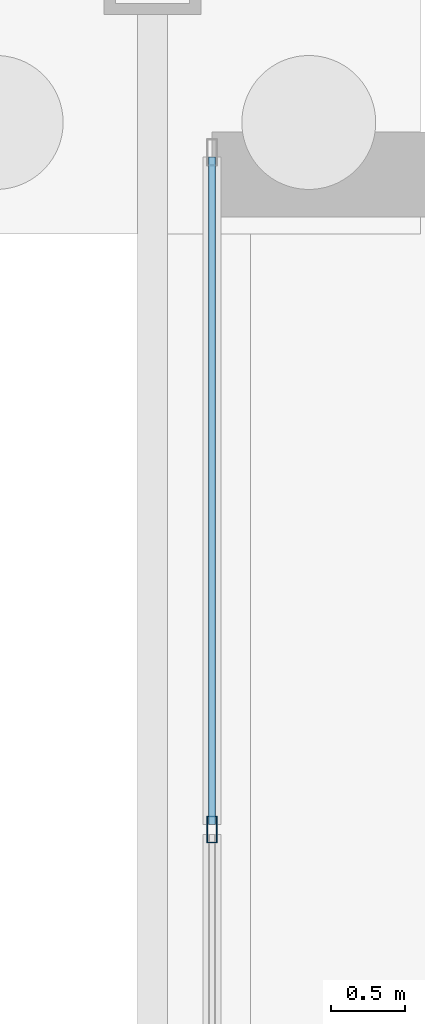
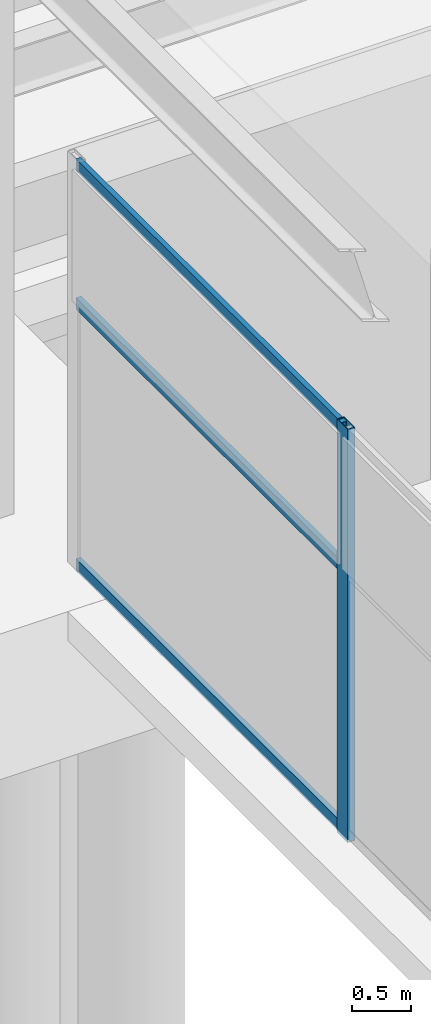
# One storey, part 42 of 160: 4 members, 1 element without a shape of its own.
"""IFC4 building model written with IfcOpenShell, lengths in metres."""

import ifcopenshell
import ifcopenshell.guid

model = None  # the IFC model being written
_history = None  # IfcOwnerHistory: only IFC2X3 demands one
_inside = {}  # id of a spatial element -> (the spatial element, [elements in it])
_under = {}  # id of a project, library or spatial element -> (it, [spatial elements below it])
_declared = {}  # id of a project -> (the project, [libraries it declares])
_typed = {}  # id of a type object -> (the type object, [elements of that type])
_made_of = {}  # id of a material, layer set ... -> (it, [elements and type objects made of it])


def new_model(schema):
    """Start an empty IFC model of exactly this schema.

    Asked for "IFC4X3", IfcOpenShell would pick the latest addendum, in which some entities
    have other attributes; the version numbers below select the first issue.
    IFC2X3 requires an IfcOwnerHistory on every rooted entity: one is made here for all.
    """
    global model, _history
    if schema == "IFC4X3":
        model = ifcopenshell.file(schema_version=(4, 3, 0, 0))
    else:
        model = ifcopenshell.file(schema=schema)
    _inside.clear()
    _under.clear()
    _declared.clear()
    _typed.clear()
    _made_of.clear()
    _history = None
    if model.schema == "IFC2X3":
        org = make("IfcOrganization", Name="unknown")
        user = make(
            "IfcPersonAndOrganization",
            ThePerson=make("IfcPerson", FamilyName="unknown"),
            TheOrganization=org,
        )
        app = make(
            "IfcApplication",
            ApplicationDeveloper=org,
            Version="unknown",
            ApplicationFullName="unknown",
            ApplicationIdentifier="unknown",
        )
        _history = make(
            "IfcOwnerHistory",
            OwningUser=user,
            OwningApplication=app,
            ChangeAction="ADDED",
            CreationDate=0,
        )
    return model


def make(cls, **values):
    """One entity of the class cls with the attributes given. An attribute that is None is left unset."""
    return model.create_entity(
        cls, **{name: value for name, value in values.items() if value is not None}
    )


def rooted(cls, **values):
    """An entity with a GlobalId (a new one), such as an element, a storey or a relation."""
    return make(cls, GlobalId=ifcopenshell.guid.new(), OwnerHistory=_history, **values)


def si_unit(unit_type, name, prefix=None):
    """IfcSIUnit, for example si_unit("LENGTHUNIT", "METRE", prefix="MILLI")."""
    return make("IfcSIUnit", UnitType=unit_type, Prefix=prefix, Name=name)


def assignment(units):
    """IfcUnitAssignment: the units of a project."""
    return None if units is None else make("IfcUnitAssignment", Units=units)


def point(xyz):
    """IfcCartesianPoint."""
    return None if xyz is None else make("IfcCartesianPoint", Coordinates=xyz)


def direction(xyz):
    """IfcDirection."""
    return None if xyz is None else make("IfcDirection", DirectionRatios=xyz)


def frame(location, z_axis=None, x_axis=None):
    """IfcAxis2Placement3D, a coordinate frame: its origin and axes. An axis left out is left unset."""
    return make(
        "IfcAxis2Placement3D",
        Location=point(location),
        Axis=direction(z_axis),
        RefDirection=direction(x_axis),
    )


def frame_2d(location, x_axis=None):
    """IfcAxis2Placement2D, a coordinate frame in the plane: its origin and x axis."""
    return make(
        "IfcAxis2Placement2D", Location=point(location), RefDirection=direction(x_axis)
    )


def origin():
    """The frame at (0, 0, 0) with its axes left unset."""
    return frame((0.0, 0.0, 0.0))


def origin_2d():
    """The frame at (0, 0) in the plane with its x axis left unset."""
    return frame_2d((0.0, 0.0))


def place(relative_to, where):
    """IfcLocalPlacement: puts the frame where relative to a parent placement (None: the world)."""
    return make(
        "IfcLocalPlacement", PlacementRelTo=relative_to, RelativePlacement=where
    )


def context(
    kind, dimensions, precision=None, world=None, true_north=None, identifier=None
):
    """IfcGeometricRepresentationContext, for example the 3D "Model" context."""
    return make(
        "IfcGeometricRepresentationContext",
        ContextIdentifier=identifier,
        ContextType=kind,
        CoordinateSpaceDimension=dimensions,
        Precision=precision,
        WorldCoordinateSystem=world,
        TrueNorth=true_north,
    )


def subcontext(parent, identifier, kind, view, scale=None):
    """IfcGeometricRepresentationSubContext, for example "Body" below "Model"."""
    return make(
        "IfcGeometricRepresentationSubContext",
        ContextIdentifier=identifier,
        ContextType=kind,
        ParentContext=parent,
        TargetScale=scale,
        TargetView=view,
    )


def project(units=None, contexts=None):
    """IfcProject with its units and contexts."""
    return rooted(
        "IfcProject",
        Name="project",
        RepresentationContexts=contexts,
        UnitsInContext=assignment(units),
    )


def spatial(cls, under=None, at=None, **own):
    """A site, building, storey or space (cls), placed at a placement, below another one or the project."""
    s = rooted(cls, ObjectPlacement=at, **own)
    if under is not None:
        _under.setdefault(under.id(), (under, []))[1].append(s)
    return s


def profile(cls, at=None, kind="AREA", **sizes):
    """A parametric profile (cls). Its sizes go by their IFC names, for example OverallWidth=200.0."""
    return make(cls, ProfileType=kind, Position=at, **sizes)


def hollow_rectangle(**sizes):
    """IfcRectangleHollowProfileDef."""
    return profile("IfcRectangleHollowProfileDef", **sizes)


def extrude(swept, where, along, depth):
    """IfcExtrudedAreaSolid: the profile swept, set in the frame where, extruded along a direction by depth."""
    return make(
        "IfcExtrudedAreaSolid",
        SweptArea=swept,
        Position=where,
        ExtrudedDirection=direction(along),
        Depth=depth,
    )


def shape(context_of_items, identifier, shape_type, items):
    """IfcShapeRepresentation: the items that make up one representation, for example the "Body"."""
    return make(
        "IfcShapeRepresentation",
        ContextOfItems=context_of_items,
        RepresentationIdentifier=identifier,
        RepresentationType=shape_type,
        Items=items,
    )


def material(Name=None, Category=None):
    """IfcMaterial."""
    return make("IfcMaterial", Name=Name, Category=Category)


def layer(
    of_material, thickness, ventilated=None, Name=None, Category=None, Priority=None
):
    """IfcMaterialLayer: one layer of a wall or slab, of a material (None: an air gap)."""
    return make(
        "IfcMaterialLayer",
        Material=of_material,
        LayerThickness=thickness,
        IsVentilated=ventilated,
        Name=Name,
        Category=Category,
        Priority=Priority,
    )


def layer_set(layers, Name=None):
    """IfcMaterialLayerSet."""
    return make("IfcMaterialLayerSet", MaterialLayers=layers, LayerSetName=Name)


def material_profile(
    of_material, cross_section, Name=None, Category=None, Priority=None
):
    """IfcMaterialProfile: a cross section and its material."""
    return make(
        "IfcMaterialProfile",
        Name=Name,
        Material=of_material,
        Profile=cross_section,
        Priority=Priority,
        Category=Category,
    )


def profile_set(profiles, Name=None, composite=None):
    """IfcMaterialProfileSet."""
    return make(
        "IfcMaterialProfileSet",
        Name=Name,
        MaterialProfiles=profiles,
        CompositeProfile=composite,
    )


def made_of(thing, what):
    """Note that an element or type object is made of a material, layer set ...; save() writes the relation."""
    if what is not None:
        _made_of.setdefault(what.id(), (what, []))[1].append(thing)
    return thing


def type_object(cls, material=None, **own):
    """A type object (cls), such as IfcWallType, which elements share."""
    return made_of(rooted(cls, **own), material)


def element(
    cls,
    number,
    at=None,
    inside=None,
    cuts=None,
    type_object=None,
    material=None,
    context=None,
    identifier="Body",
    shape_type=None,
    held_by="IfcProductDefinitionShape",
    body=None,
    shapes=None,
    **own,
):
    """One element of the class cls, such as IfcWall. Its Tag is "e" and its number.

    at: its placement. inside: the storey or other place that contains it. cuts: it is an
    opening in that element (IfcRelVoidsElement). A single representation is given by context,
    identifier, shape_type and body (its items); several are given by shapes. held_by: the class
    of the entity that holds the representations. save() writes the other relations.
    """
    e = rooted(cls, Tag="e%d" % number, ObjectPlacement=at, **own)
    if body is not None:
        shapes = [shape(context, identifier, shape_type, body)]
    if shapes is not None:
        e.Representation = make(held_by, Representations=shapes)
    if inside is not None:
        _inside.setdefault(inside.id(), (inside, []))[1].append(e)
    if cuts is not None:
        rooted(
            "IfcRelVoidsElement", RelatingBuildingElement=cuts, RelatedOpeningElement=e
        )
    if type_object is not None:
        _typed.setdefault(type_object.id(), (type_object, []))[1].append(e)
    return made_of(e, material)


def aggregate(whole, parts):
    """IfcRelAggregates: a whole, such as a stair, and the parts it consists of."""
    return rooted("IfcRelAggregates", RelatingObject=whole, RelatedObjects=parts)


def save(model, path):
    """Write the relations noted so far, then the file.

    IfcRelAggregates (storeys below a building ...), IfcRelContainedInSpatialStructure (elements
    in a storey), IfcRelDefinesByType, IfcRelAssociatesMaterial and IfcRelDeclares: one each for
    every whole, place, type object, material and project.
    """
    for whole, parts in _under.values():
        aggregate(whole, parts)
    for where, things in _inside.values():
        rooted(
            "IfcRelContainedInSpatialStructure",
            RelatedElements=things,
            RelatingStructure=where,
        )
    for kind, things in _typed.values():
        rooted("IfcRelDefinesByType", RelatedObjects=things, RelatingType=kind)
    for what, things in _made_of.values():
        rooted("IfcRelAssociatesMaterial", RelatedObjects=things, RelatingMaterial=what)
    for by, libraries in _declared.values():
        rooted("IfcRelDeclares", RelatingContext=by, RelatedDefinitions=libraries)
    model.write(path)


model = new_model("IFC4")

# Units and contexts
model_context = context("Model", 3, precision=1e-05, world=origin(), true_north=direction((0.0, 1.0)))
body_context = subcontext(model_context, "Body", "Model", "MODEL_VIEW")
ifc_project = project(units=[si_unit("LENGTHUNIT", "METRE"), si_unit("AREAUNIT", "SQUARE_METRE"), si_unit("VOLUMEUNIT", "CUBIC_METRE"), si_unit("PLANEANGLEUNIT", "RADIAN"), si_unit("MASSUNIT", "GRAM", prefix="KILO")], contexts=[model_context])

# Site, building, storey
site_placement = place(None, origin())
site = spatial("IfcSite", under=ifc_project, at=site_placement, CompositionType="ELEMENT")
building_placement = place(site_placement, origin())
building = spatial("IfcBuilding", under=site, at=building_placement, Name="Marlcrest Central Station", CompositionType="ELEMENT")
storey_placement = place(building_placement, origin())
storey = spatial("IfcBuildingStorey", under=building, at=storey_placement, Name="L00", CompositionType="ELEMENT", Elevation=0.0)

# Curtain wall, members
ifc_material_1 = material(Name="Anodised aluminium and hurricane laminated glass", Category="aluminium")
ifc_layer = layer(ifc_material_1, 0.179931640625, Name="CW-S1")
ifc_layer_set = layer_set([ifc_layer], Name="Anodised aluminium and hurricane laminated glass")
curtain_wall_type = type_object("IfcCurtainWallType", Name="CW-S1", PredefinedType="USERDEFINED", material=ifc_layer_set)
curtain_wall_placement = place(storey_placement, origin())
curtain_wall = element("IfcCurtainWall", 1, at=curtain_wall_placement, inside=storey, type_object=curtain_wall_type, Name="cw-L00-0143", ObjectType="STICK_CURTAIN_WALL", PredefinedType="USERDEFINED")
ifc_material_2 = material(Name="Anodised aluminium 6063-T6", Category="aluminium")
ifc_material_profile_1 = material_profile(ifc_material_2, hollow_rectangle(XDim=0.070068359375, YDim=0.179931640625, WallThickness=0.0048828125, at=origin_2d()), Name="AA-RHS 180x70x5")
ifc_profile_set_1 = profile_set([ifc_material_profile_1], Name="Anodised aluminium 6063-T6")
member_type_1 = type_object("IfcMemberType", Name="ML-02", PredefinedType="MULLION", material=ifc_profile_set_1)
member_1_placement = place(storey_placement, frame((0.39990234375, 27.199951171875, -0.030029296875), z_axis=(0.0, 0.0, 1.0), x_axis=(1.0, 0.0, 0.0)))
member_1 = element("IfcMember", 2, at=member_1_placement, type_object=member_type_1, Name="cw-L00-0143-ml-1", PredefinedType="MULLION", context=body_context, shape_type="SweptSolid", body=[
    extrude(hollow_rectangle(XDim=0.070068359375, YDim=0.179931640625, WallThickness=0.0048828125, at=origin_2d()), origin(), (0.0, 0.0, 1.0), 4.260009765625),
])
ifc_material_profile_2 = material_profile(ifc_material_2, hollow_rectangle(XDim=0.050048828125, YDim=0.1201171875, WallThickness=0.00390625, at=origin_2d()), Name="AA-RHS 120x50x4")
ifc_profile_set_2 = profile_set([ifc_material_profile_2], Name="Anodised aluminium 6063-T6")
member_type_2 = type_object("IfcMemberType", Name="TR-02", PredefinedType="USERDEFINED", material=ifc_profile_set_2)
member_2_placement = place(storey_placement, frame((0.39990234375, 27.23291015625, 0.0400390625), z_axis=(0.0, 1.0, 0.0), x_axis=(-1.0, 0.0, 0.0)))
member_2 = element("IfcMember", 3, at=member_2_placement, type_object=member_type_2, Name="cw-L00-0143-tr-1-sill", ObjectType="TRANSOM", PredefinedType="USERDEFINED", context=body_context, shape_type="SweptSolid", body=[
    extrude(hollow_rectangle(XDim=0.050048828125, YDim=0.1201171875, WallThickness=0.00390625, at=origin_2d()), origin(), (0.0, 0.0, 1.0), 4.484130859375),
])
member_3_placement = place(storey_placement, frame((0.39990234375, 27.23291015625, 2.72998046875), z_axis=(0.0, 1.0, 0.0), x_axis=(-1.0, 0.0, 0.0)))
member_3 = element("IfcMember", 4, at=member_3_placement, type_object=member_type_2, Name="cw-L00-0143-tr-1-mid", ObjectType="TRANSOM", PredefinedType="USERDEFINED", context=body_context, shape_type="SweptSolid", body=[
    extrude(hollow_rectangle(XDim=0.050048828125, YDim=0.1201171875, WallThickness=0.00390625, at=origin_2d()), origin(), (0.0, 0.0, 1.0), 4.484130859375),
])
member_4_placement = place(storey_placement, frame((0.39990234375, 27.23291015625, 4.159912109375), z_axis=(0.0, 1.0, 0.0), x_axis=(-1.0, 0.0, 0.0)))
member_4 = element("IfcMember", 5, at=member_4_placement, type_object=member_type_2, Name="cw-L00-0143-tr-1-head", ObjectType="TRANSOM", PredefinedType="USERDEFINED", context=body_context, shape_type="SweptSolid", body=[
    extrude(hollow_rectangle(XDim=0.050048828125, YDim=0.1201171875, WallThickness=0.00390625, at=origin_2d()), origin(), (0.0, 0.0, 1.0), 4.484130859375),
])
aggregate(curtain_wall, [member_1, member_2, member_3, member_4])

save(model, "model.ifc")
